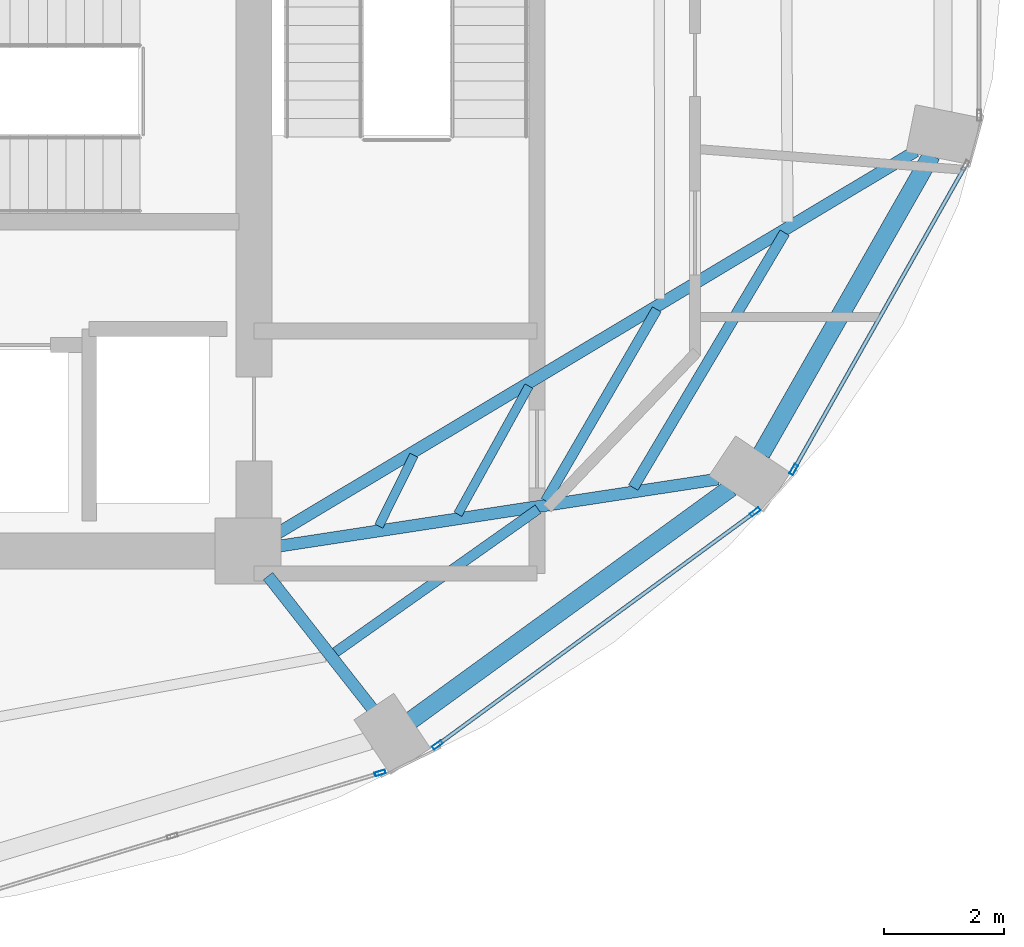
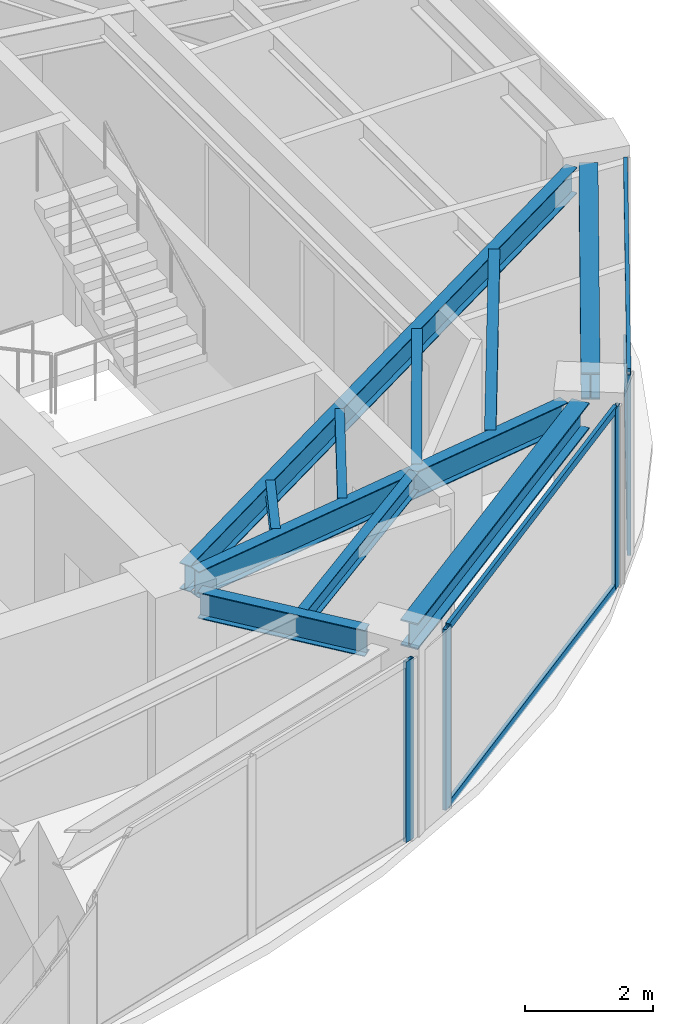
# One storey, part 13 of 23: 10 beams, 8 members, 3 elements without a shape of their own.
"""IFC4 building model written with IfcOpenShell, lengths in metres."""

from ifc_helpers import new_model, si_unit, direction, frame, origin, origin_2d, place, context, subcontext, project, spatial, hollow_rectangle, i_section, extrude, material, layer, layer_set, material_profile, profile_set, type_object, element, aggregate, save


model = new_model("IFC4")

# Units and contexts
model_context = context("Model", 3, precision=1e-05, world=origin(), true_north=direction((0.0, 1.0)))
body_context = subcontext(model_context, "Body", "Model", "MODEL_VIEW")
ifc_project = project(units=[si_unit("LENGTHUNIT", "METRE"), si_unit("AREAUNIT", "SQUARE_METRE"), si_unit("VOLUMEUNIT", "CUBIC_METRE"), si_unit("PLANEANGLEUNIT", "RADIAN"), si_unit("MASSUNIT", "GRAM", prefix="KILO")], contexts=[model_context])

# Site, building, storey
site_placement = place(None, origin())
site = spatial("IfcSite", under=ifc_project, at=site_placement, CompositionType="ELEMENT")
building_placement = place(site_placement, origin())
building = spatial("IfcBuilding", under=site, at=building_placement, Name="Lazwardi Medical Tower", CompositionType="ELEMENT")
storey_placement = place(building_placement, frame((0.0, 0.0, 198.47998046875)))
storey = spatial("IfcBuildingStorey", under=building, at=storey_placement, Name="L51", CompositionType="ELEMENT", Elevation=198.47998046875)

# Beams
ifc_material_1 = material(Name="Steel S355", Category="steel")
ifc_material_profile_1 = material_profile(ifc_material_1, i_section(OverallWidth=0.300048828125, OverallDepth=0.5, WebThickness=0.014404296875, FlangeThickness=0.028076171875, at=origin_2d()), Name="HEB 500")
ifc_profile_set_1 = profile_set([ifc_material_profile_1], Name="Steel S355")
beam_type_1 = type_object("IfcBeamType", Name="BM-RB-Z4", PredefinedType="BEAM", material=ifc_profile_set_1)
beam_1_placement = place(storey_placement, frame((48.31591796875, 17.5751953125, 3.197998046875), z_axis=(0.808889916254, 0.587960120571, 0.0), x_axis=(-0.587960120571, 0.808889916254, 0.0)))
element("IfcBeam", 1, at=beam_1_placement, inside=storey, type_object=beam_type_1, Name="Ring beam RB-05 B02 L51", PredefinedType="BEAM", context=body_context, shape_type="SweptSolid", body=[
    extrude(i_section(OverallWidth=0.300048828125, OverallDepth=0.5, WebThickness=0.014404296875, FlangeThickness=0.028076171875, at=origin_2d()), origin(), (0.0, 0.0, 1.0), 6.587158203125),
])
beam_2_placement = place(storey_placement, frame((54.15283203125, 22.016357421875, 3.197998046875), z_axis=(0.495125273299, 0.868821594886, 0.0), x_axis=(-0.868821594886, 0.495125273299, 0.0)))
element("IfcBeam", 2, at=beam_2_placement, inside=storey, type_object=beam_type_1, Name="Ring beam RB-05 B03 L51", PredefinedType="BEAM", context=body_context, shape_type="SweptSolid", body=[
    extrude(i_section(OverallWidth=0.300048828125, OverallDepth=0.5, WebThickness=0.014404296875, FlangeThickness=0.028076171875, at=origin_2d()), origin(), (0.0, 0.0, 1.0), 5.734130859375),
])
ifc_material_profile_2 = material_profile(ifc_material_1, i_section(OverallWidth=0.199951171875, OverallDepth=0.5, WebThickness=0.01025390625, FlangeThickness=0.01611328125, at=origin_2d()), Name="IPE 500")
ifc_profile_set_2 = profile_set([ifc_material_profile_2], Name="Steel S355")
beam_type_2 = type_object("IfcBeamType", Name="BM-RG-W3", PredefinedType="BEAM", material=ifc_profile_set_2)
beam_3_placement = place(storey_placement, frame((47.669677734375, 17.7666015625, 3.197998046875), z_axis=(-0.617890508382, 0.786264153864, 0.0), x_axis=(-0.786264153864, -0.617890508382, 0.0)))
element("IfcBeam", 3, at=beam_3_placement, inside=storey, type_object=beam_type_2, Name="Radial girder RG-04 R02 L51", PredefinedType="BEAM", context=body_context, shape_type="SweptSolid", body=[
    extrude(i_section(OverallWidth=0.199951171875, OverallDepth=0.5, WebThickness=0.01025390625, FlangeThickness=0.01611328125, at=origin_2d()), origin(), (0.0, 0.0, 1.0), 2.814453125),
])
beam_4_placement = place(storey_placement, frame((53.430908203125, 21.5966796875, 3.197998046875), z_axis=(-0.988522137285, -0.151076087115, 0.0), x_axis=(0.151076087115, -0.988522137285, 0.0)))
element("IfcBeam", 4, at=beam_4_placement, inside=storey, type_object=beam_type_2, Name="Radial girder RG-04 R03 L51", PredefinedType="BEAM", context=body_context, shape_type="SweptSolid", body=[
    extrude(i_section(OverallWidth=0.199951171875, OverallDepth=0.5, WebThickness=0.01025390625, FlangeThickness=0.01611328125, at=origin_2d()), origin(), (0.0, 0.0, 1.0), 7.38671875),
])
beam_5_placement = place(storey_placement, frame((56.72607421875, 27.062255859375, 3.197998046875), z_axis=(-0.857944804603, -0.513741873176, 0.0), x_axis=(0.513741873176, -0.857944804603, 0.0)))
element("IfcBeam", 5, at=beam_5_placement, inside=storey, type_object=beam_type_2, Name="Radial girder RG-04 R04 L51", PredefinedType="BEAM", context=body_context, shape_type="SweptSolid", body=[
    extrude(i_section(OverallWidth=0.199951171875, OverallDepth=0.5, WebThickness=0.01025390625, FlangeThickness=0.01611328125, at=origin_2d()), origin(), (0.0, 0.0, 1.0), 12.43310546875),
])
ifc_material_profile_3 = material_profile(ifc_material_1, i_section(OverallWidth=0.179931640625, OverallDepth=0.39990234375, WebThickness=0.008544921875, FlangeThickness=0.013427734375, at=origin_2d()), Name="IPE 400")
ifc_profile_set_3 = profile_set([ifc_material_profile_3], Name="Steel S355")
beam_type_3 = type_object("IfcBeamType", Name="BM-SJ-01", PredefinedType="JOIST", material=ifc_profile_set_3)
beam_6_placement = place(storey_placement, frame((52.01904296875, 21.455078125, 3.248046875), z_axis=(0.510967866251, 0.859599813668, 0.0), x_axis=(-0.859599813668, 0.510967866251, 0.0)))
element("IfcBeam", 6, at=beam_6_placement, inside=storey, type_object=beam_type_3, Name="Secondary joist SJ-01 R1 B03 L51", PredefinedType="JOIST", context=body_context, shape_type="SweptSolid", body=[
    extrude(i_section(OverallWidth=0.179931640625, OverallDepth=0.39990234375, WebThickness=0.008544921875, FlangeThickness=0.013427734375, at=origin_2d()), origin(), (0.0, 0.0, 1.0), 4.94189453125),
])
ifc_material_profile_4 = material_profile(ifc_material_1, i_section(OverallWidth=0.169921875, OverallDepth=0.360107421875, WebThickness=0.008056640625, FlangeThickness=0.0126953125, at=origin_2d()), Name="IPE 360")
ifc_profile_set_4 = profile_set([ifc_material_profile_4], Name="Steel S355")
beam_type_4 = type_object("IfcBeamType", Name="BM-SJ-02", PredefinedType="JOIST", material=ifc_profile_set_4)
beam_7_placement = place(storey_placement, frame((47.051513671875, 18.70654296875, 3.26806640625), z_axis=(0.816711190406, 0.577046645832, 0.0), x_axis=(-0.577046645832, 0.816711190406, 0.0)))
element("IfcBeam", 7, at=beam_7_placement, inside=storey, type_object=beam_type_4, Name="Secondary joist SJ-02 R2 B02 L51", PredefinedType="JOIST", context=body_context, shape_type="SweptSolid", body=[
    extrude(i_section(OverallWidth=0.169921875, OverallDepth=0.360107421875, WebThickness=0.008056640625, FlangeThickness=0.0126953125, at=origin_2d()), origin(), (0.0, 0.0, 1.0), 4.139892578125),
])
beam_8_placement = place(storey_placement, frame((50.5576171875, 21.232421875, 3.26806640625), z_axis=(0.50218018565, 0.864763008657, 0.0), x_axis=(-0.864763008657, 0.50218018565, 0.0)))
element("IfcBeam", 8, at=beam_8_placement, inside=storey, type_object=beam_type_4, Name="Secondary joist SJ-02 R2 B03 L51", PredefinedType="JOIST", context=body_context, shape_type="SweptSolid", body=[
    extrude(i_section(OverallWidth=0.169921875, OverallDepth=0.360107421875, WebThickness=0.008056640625, FlangeThickness=0.0126953125, at=origin_2d()), origin(), (0.0, 0.0, 1.0), 3.69189453125),
])
ifc_material_profile_5 = material_profile(ifc_material_1, i_section(OverallWidth=0.14990234375, OverallDepth=0.300048828125, WebThickness=0.007080078125, FlangeThickness=0.0107421875, at=origin_2d()), Name="IPE 300")
ifc_profile_set_5 = profile_set([ifc_material_profile_5], Name="Steel S355")
beam_type_5 = type_object("IfcBeamType", Name="BM-SJ-03", PredefinedType="JOIST", material=ifc_profile_set_5)
beam_9_placement = place(storey_placement, frame((49.095703125, 21.01025390625, 3.298095703125), z_axis=(0.484751625998, 0.874651851363, 0.0), x_axis=(-0.874651851363, 0.484751625998, 0.0)))
element("IfcBeam", 9, at=beam_9_placement, inside=storey, type_object=beam_type_5, Name="Secondary joist SJ-03 R3 B03 L51", PredefinedType="JOIST", context=body_context, shape_type="SweptSolid", body=[
    extrude(i_section(OverallWidth=0.14990234375, OverallDepth=0.300048828125, WebThickness=0.007080078125, FlangeThickness=0.0107421875, at=origin_2d()), origin(), (0.0, 0.0, 1.0), 2.442626953125),
])
beam_10_placement = place(storey_placement, frame((47.777587890625, 20.811279296875, 3.298095703125), z_axis=(0.443587297772, 0.89623116954, 0.0), x_axis=(-0.89623116954, 0.443587297772, 0.0)))
element("IfcBeam", 10, at=beam_10_placement, inside=storey, type_object=beam_type_5, Name="Secondary joist SJ-03 R4 B03 L51", PredefinedType="JOIST", context=body_context, shape_type="SweptSolid", body=[
    extrude(i_section(OverallWidth=0.14990234375, OverallDepth=0.300048828125, WebThickness=0.007080078125, FlangeThickness=0.0107421875, at=origin_2d()), origin(), (0.0, 0.0, 1.0), 1.32080078125),
])

# Curtain wall, member
ifc_material_2 = material(Name="Anodised bronze aluminium and solar control glazing", Category="aluminium")
ifc_layer = layer(ifc_material_2, 0.18994140625)
ifc_layer_set = layer_set([ifc_layer], Name="Anodised bronze aluminium and solar control glazing")
curtain_wall_type = type_object("IfcCurtainWallType", Name="CW-SYS-04", PredefinedType="NOTDEFINED", material=ifc_layer_set)
curtain_wall_1_placement = place(storey_placement, origin())
curtain_wall_1 = element("IfcCurtainWall", 11, at=curtain_wall_1_placement, inside=storey, type_object=curtain_wall_type, Name="L51 Unitised bronze curtain wall CW-04", PredefinedType="NOTDEFINED")
ifc_material_3 = material(Name="Anodised bronze aluminium", Category="aluminium")
ifc_material_profile_6 = material_profile(ifc_material_3, hollow_rectangle(XDim=0.06494140625, YDim=0.179931640625, WallThickness=0.00390625, at=origin_2d()), Name="ALU-MULLION 180x65x4")
ifc_profile_set_6 = profile_set([ifc_material_profile_6], Name="Anodised bronze aluminium")
member_type_1 = type_object("IfcMemberType", Name="CW-MUL-03", PredefinedType="MULLION", material=ifc_profile_set_6)
member_1_placement = place(storey_placement, frame((47.7998046875, 16.696533203125, 0.0), z_axis=(0.0, 0.0, 1.0), x_axis=(-0.290581889515, 0.956850126972, 0.0)))
member_1 = element("IfcMember", 12, at=member_1_placement, type_object=member_type_1, Name="CW-04 mullion 3", PredefinedType="MULLION", context=body_context, shape_type="SweptSolid", body=[
    extrude(hollow_rectangle(XDim=0.06494140625, YDim=0.179931640625, WallThickness=0.00390625, at=origin_2d()), origin(), (0.0, 0.0, 1.0), 3.447998046875),
])
aggregate(curtain_wall_1, [member_1])

# Curtain wall, members
curtain_wall_2_placement = place(storey_placement, origin())
curtain_wall_2 = element("IfcCurtainWall", 13, at=curtain_wall_2_placement, inside=storey, type_object=curtain_wall_type, Name="L51 Unitised bronze curtain wall CW-04", PredefinedType="NOTDEFINED")
member_2_placement = place(storey_placement, frame((48.75537109375, 17.1650390625, 0.0), z_axis=(0.0, 0.0, 1.0), x_axis=(-0.591268230971, 0.806474971121, 0.0)))
member_2 = element("IfcMember", 14, at=member_2_placement, type_object=member_type_1, Name="CW-04 mullion 1", PredefinedType="MULLION", context=body_context, shape_type="SweptSolid", body=[
    extrude(hollow_rectangle(XDim=0.06494140625, YDim=0.179931640625, WallThickness=0.00390625, at=origin_2d()), origin(), (0.0, 0.0, 1.0), 3.447998046875),
])
member_3_placement = place(storey_placement, frame((54.052001953125, 21.04833984375, 0.0), z_axis=(0.0, 0.0, 1.0), x_axis=(-0.591268230971, 0.806474971121, 0.0)))
member_3 = element("IfcMember", 15, at=member_3_placement, type_object=member_type_1, Name="CW-04 mullion 2", PredefinedType="MULLION", context=body_context, shape_type="SweptSolid", body=[
    extrude(hollow_rectangle(XDim=0.06494140625, YDim=0.179931640625, WallThickness=0.00390625, at=origin_2d()), origin(), (0.0, 0.0, 1.0), 3.447998046875),
])

# Curtain wall, member
curtain_wall_3_placement = place(storey_placement, origin())
curtain_wall_3 = element("IfcCurtainWall", 16, at=curtain_wall_3_placement, inside=storey, type_object=curtain_wall_type, Name="L51 Unitised bronze curtain wall CW-04", PredefinedType="NOTDEFINED")
member_4_placement = place(storey_placement, frame((54.6943359375, 21.75439453125, 0.0), z_axis=(0.0, 0.0, 1.0), x_axis=(-0.870651436011, 0.491900474661, 0.0)))
member_4 = element("IfcMember", 17, at=member_4_placement, type_object=member_type_1, Name="CW-04 mullion 1", PredefinedType="MULLION", context=body_context, shape_type="SweptSolid", body=[
    extrude(hollow_rectangle(XDim=0.06494140625, YDim=0.179931640625, WallThickness=0.00390625, at=origin_2d()), origin(), (0.0, 0.0, 1.0), 3.447998046875),
])

# Member
ifc_material_profile_7 = material_profile(ifc_material_3, hollow_rectangle(XDim=0.06494140625, YDim=0.139892578125, WallThickness=0.00341796875, at=origin_2d()), Name="ALU-TRANSOM 140x65x3.5")
ifc_profile_set_7 = profile_set([ifc_material_profile_7], Name="Anodised bronze aluminium")
member_type_2 = type_object("IfcMemberType", Name="CW-TRN-03", PredefinedType="USERDEFINED", material=ifc_profile_set_7)
member_5_placement = place(storey_placement, frame((48.781494140625, 17.184326171875, 0.032470703125), z_axis=(0.80648973359, 0.591248094808, 0.0), x_axis=(-0.591248094808, 0.80648973359, 0.0)))
member_5 = element("IfcMember", 18, at=member_5_placement, type_object=member_type_2, Name="CW-04 transom 1.1", ObjectType="TRANSOM", PredefinedType="USERDEFINED", context=body_context, shape_type="SweptSolid", body=[
    extrude(hollow_rectangle(XDim=0.06494140625, YDim=0.139892578125, WallThickness=0.00341796875, at=origin_2d()), origin(), (0.0, 0.0, 1.0), 6.502685546875),
])

member_6_placement = place(storey_placement, frame((48.781494140625, 17.184326171875, 3.41552734375), z_axis=(0.80648973359, 0.591248094808, 0.0), x_axis=(-0.591248094808, 0.80648973359, 0.0)))
member_6 = element("IfcMember", 19, at=member_6_placement, type_object=member_type_2, Name="CW-04 transom 1.2", ObjectType="TRANSOM", PredefinedType="USERDEFINED", context=body_context, shape_type="SweptSolid", body=[
    extrude(hollow_rectangle(XDim=0.06494140625, YDim=0.139892578125, WallThickness=0.00341796875, at=origin_2d()), origin(), (0.0, 0.0, 1.0), 6.502685546875),
])

aggregate(curtain_wall_2, [member_2, member_3, member_5, member_6])

member_7_placement = place(storey_placement, frame((54.71044921875, 21.78271484375, 0.032470703125), z_axis=(0.491879719484, 0.87066316194, 0.0), x_axis=(-0.87066316194, 0.491879719484, 0.0)))
member_7 = element("IfcMember", 20, at=member_7_placement, type_object=member_type_2, Name="CW-04 transom 1.1", ObjectType="TRANSOM", PredefinedType="USERDEFINED", context=body_context, shape_type="SweptSolid", body=[
    extrude(hollow_rectangle(XDim=0.06494140625, YDim=0.139892578125, WallThickness=0.00341796875, at=origin_2d()), origin(), (0.0, 0.0, 1.0), 5.755126953125),
])

member_8_placement = place(storey_placement, frame((54.71044921875, 21.78271484375, 3.41552734375), z_axis=(0.491879719484, 0.87066316194, 0.0), x_axis=(-0.87066316194, 0.491879719484, 0.0)))
member_8 = element("IfcMember", 21, at=member_8_placement, type_object=member_type_2, Name="CW-04 transom 1.2", ObjectType="TRANSOM", PredefinedType="USERDEFINED", context=body_context, shape_type="SweptSolid", body=[
    extrude(hollow_rectangle(XDim=0.06494140625, YDim=0.139892578125, WallThickness=0.00341796875, at=origin_2d()), origin(), (0.0, 0.0, 1.0), 5.755126953125),
])

aggregate(curtain_wall_3, [member_4, member_7, member_8])

save(model, "model.ifc")
